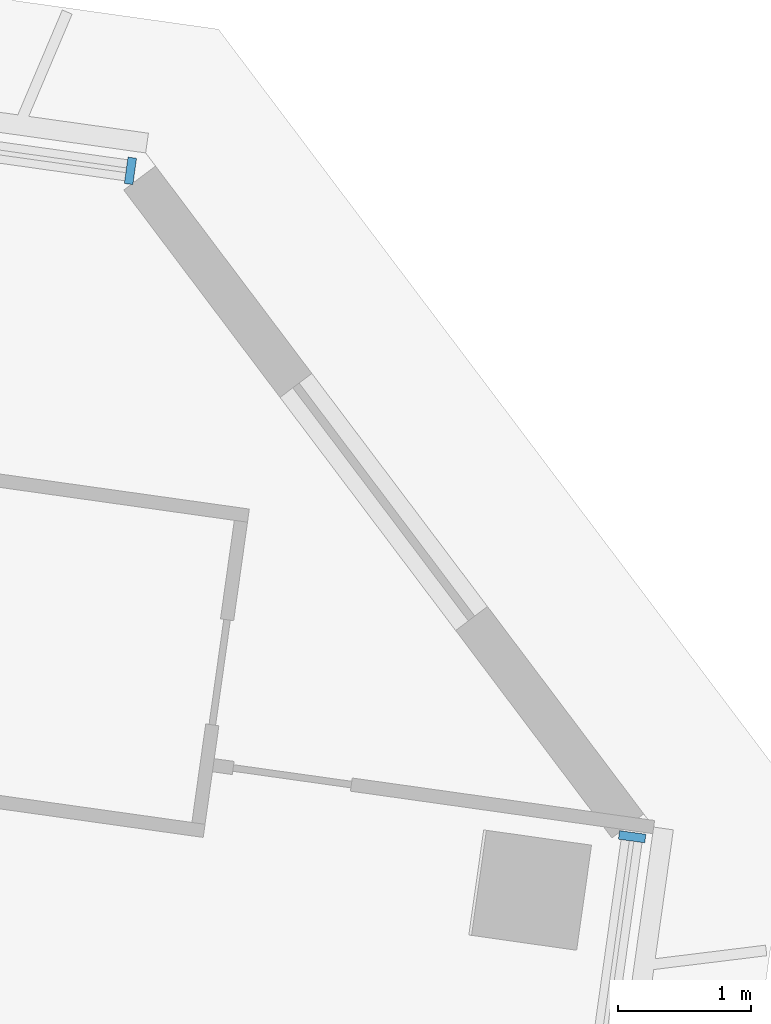
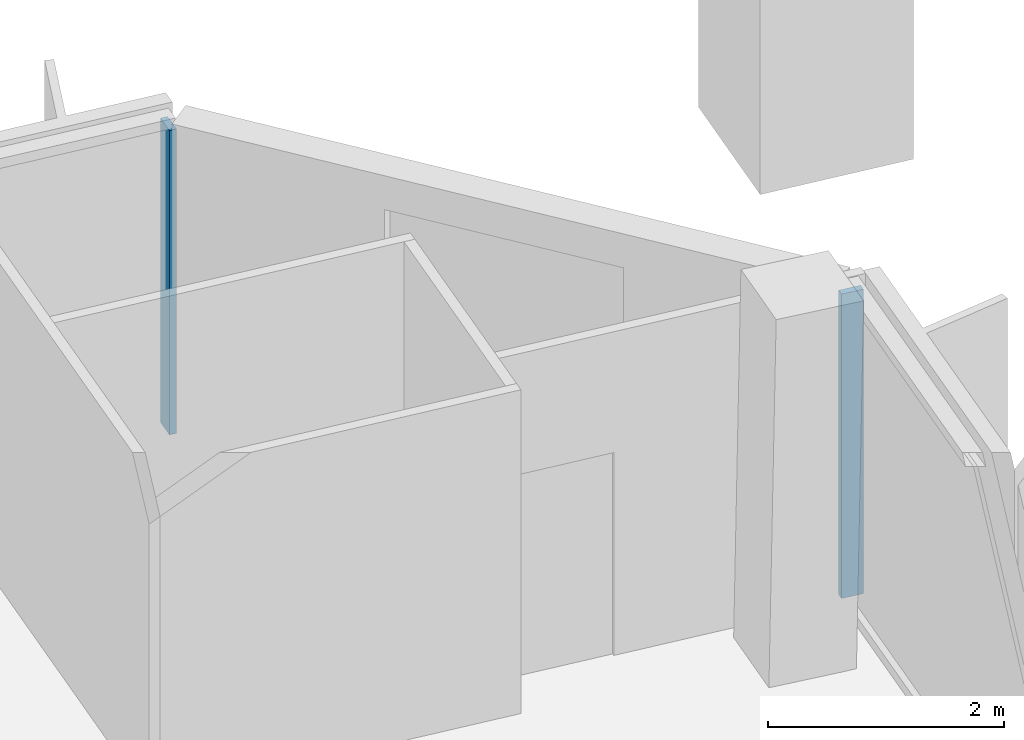
# One storey, part 8 of 26: 2 members, 2 elements without a shape of their own.
"""IFC4 building model written with IfcOpenShell, lengths in metres."""

from ifc_helpers import new_model, si_unit, direction, frame, origin, origin_2d, place, context, subcontext, project, spatial, rectangle, extrude, material, material_profile, profile_set, type_object, element, aggregate, save


model = new_model("IFC4")

# Units and contexts
model_context = context("Model", 3, precision=1e-05, world=origin(), true_north=direction((0.0, 1.0)))
body_context = subcontext(model_context, "Body", "Model", "MODEL_VIEW")
ifc_project = project(units=[si_unit("LENGTHUNIT", "METRE"), si_unit("AREAUNIT", "SQUARE_METRE"), si_unit("VOLUMEUNIT", "CUBIC_METRE"), si_unit("PLANEANGLEUNIT", "RADIAN"), si_unit("MASSUNIT", "GRAM", prefix="KILO")], contexts=[model_context])

# Site, building, storey
site_placement = place(None, origin())
site = spatial("IfcSite", under=ifc_project, at=site_placement, CompositionType="ELEMENT")
building_placement = place(site_placement, origin())
building = spatial("IfcBuilding", under=site, at=building_placement, Name="Mirante Cascada Hotel Towers", CompositionType="ELEMENT")
storey_placement = place(building_placement, frame((0.0, 0.0, 161.2)))
storey = spatial("IfcBuildingStorey", under=building, at=storey_placement, Name="L37", CompositionType="ELEMENT", Elevation=161.2)

# Curtain wall, member
ifc_material_1 = material(Name="Aluminium mullion and transom frame with clear laminated glass", Category="aluminium")
curtain_wall_type_1 = type_object("IfcCurtainWallType", Name="Ribbon curtain wall ECW1", PredefinedType="NOTDEFINED", material=ifc_material_1)
curtain_wall_1_placement = place(storey_placement, origin())
curtain_wall_1 = element("IfcCurtainWall", 1, at=curtain_wall_1_placement, inside=storey, type_object=curtain_wall_type_1, Name="Front ribbon wall T1 L37", PredefinedType="NOTDEFINED")
ifc_material_2 = material(Name="Anodised aluminium extrusion", Category="aluminium")
ifc_material_profile_1 = material_profile(ifc_material_2, rectangle(XDim=0.2, YDim=0.065, at=origin_2d()), Name="ECW1 MULLION 65x200")
ifc_profile_set_1 = profile_set([ifc_material_profile_1], Name="Anodised aluminium extrusion")
member_type_1 = type_object("IfcMemberType", Name="ECW1 mullion 65x200", PredefinedType="MULLION", material=ifc_profile_set_1)
member_1_placement = place(storey_placement, frame((-31.8253, 17.2918, 0.1), z_axis=(0.0, 0.0, 1.0), x_axis=(0.1391731, 0.9902681, 0.0)))
member_1 = element("IfcMember", 2, at=member_1_placement, type_object=member_type_1, Name="ECW1 mullion 13", PredefinedType="MULLION", context=body_context, shape_type="SweptSolid", body=[
    extrude(rectangle(XDim=0.2, YDim=0.065, at=origin_2d()), origin(), (0.0, 0.0, 1.0), 3.15),
])
aggregate(curtain_wall_1, [member_1])

ifc_material_3 = material(Name="Aluminium mullion and transom frame with clear laminated glass", Category="aluminium")
curtain_wall_type_2 = type_object("IfcCurtainWallType", Name="End ribbon curtain wall ECW2", PredefinedType="NOTDEFINED", material=ifc_material_3)
curtain_wall_2_placement = place(storey_placement, origin())
curtain_wall_2 = element("IfcCurtainWall", 3, at=curtain_wall_2_placement, inside=storey, type_object=curtain_wall_type_2, Name="Inner end wall T1 L37", PredefinedType="NOTDEFINED")
ifc_material_4 = material(Name="Anodised aluminium extrusion", Category="aluminium")
ifc_material_profile_2 = material_profile(ifc_material_4, rectangle(XDim=0.2, YDim=0.065, at=origin_2d()), Name="ECW2 MULLION 65x200")
ifc_profile_set_2 = profile_set([ifc_material_profile_2], Name="Anodised aluminium extrusion")
member_type_2 = type_object("IfcMemberType", Name="ECW2 mullion 65x200", PredefinedType="MULLION", material=ifc_profile_set_2)
member_2_placement = place(storey_placement, frame((-28.0425, 12.2718, 0.1), z_axis=(0.0, 0.0, 1.0), x_axis=(0.9902681, -0.1391731, 0.0)))
member_2 = element("IfcMember", 4, at=member_2_placement, type_object=member_type_2, Name="ECW2 mullion 1", PredefinedType="MULLION", context=body_context, shape_type="SweptSolid", body=[
    extrude(rectangle(XDim=0.2, YDim=0.065, at=origin_2d()), origin(), (0.0, 0.0, 1.0), 3.15),
])
aggregate(curtain_wall_2, [member_2])

save(model, "model.ifc")
